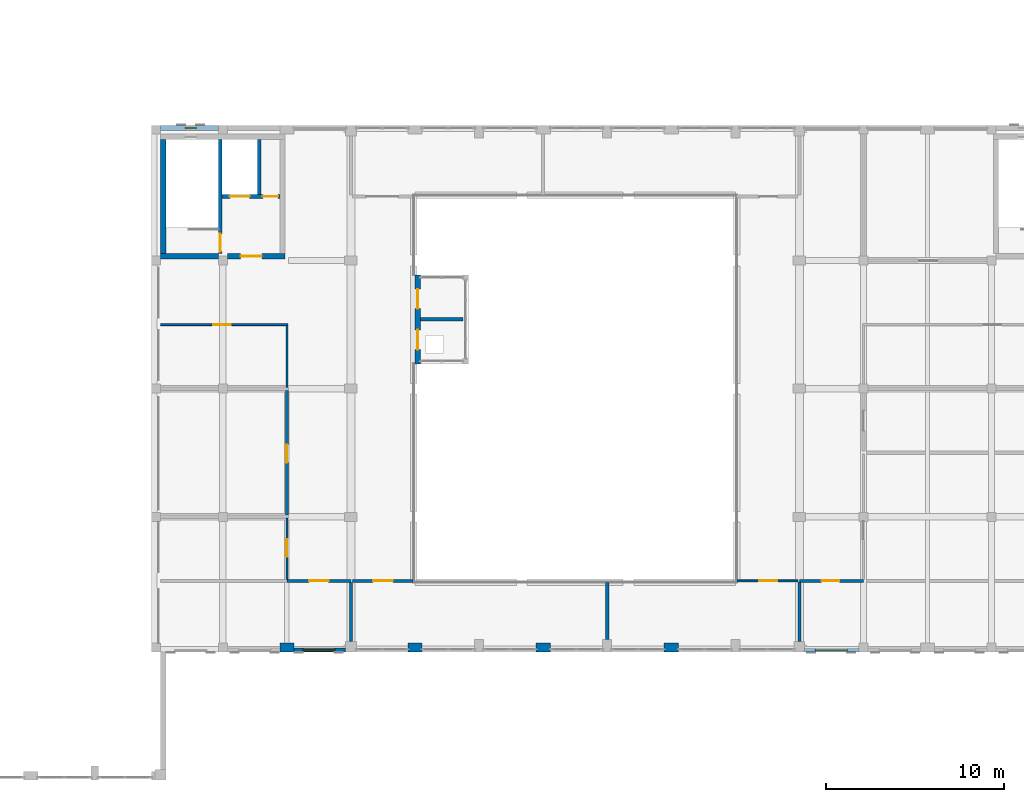
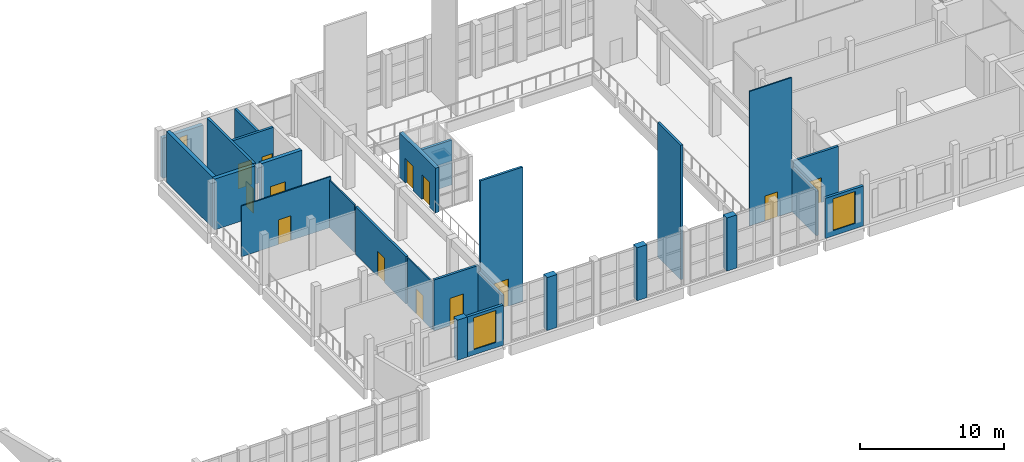
# One storey, part 18 of 54: 26 walls, 13 doors, 3 windows, 16 openings.
"""IFC4 building model written with IfcOpenShell, lengths in metres."""

from ifc_helpers import new_model, si_unit, direction, frame, frame_2d, origin, place, context, subcontext, project, spatial, rectangle, extrude, material, layer, layer_set, type_object, element, fill, save


model = new_model("IFC4")

# Units and contexts
model_context = context("Model", 3, precision=1e-05, world=origin(), true_north=direction((0.0, 1.0)))
body_context = subcontext(model_context, "Body", "Model", "MODEL_VIEW")
ifc_project = project(units=[si_unit("LENGTHUNIT", "METRE"), si_unit("AREAUNIT", "SQUARE_METRE"), si_unit("VOLUMEUNIT", "CUBIC_METRE"), si_unit("PLANEANGLEUNIT", "RADIAN"), si_unit("MASSUNIT", "GRAM", prefix="KILO")], contexts=[model_context])

# Site, building, storey
site_placement = place(None, origin())
site = spatial("IfcSite", under=ifc_project, at=site_placement, CompositionType="ELEMENT")
building_placement = place(site_placement, origin())
building = spatial("IfcBuilding", under=site, at=building_placement, Name="Ussher Court Research Institute", CompositionType="ELEMENT")
storey_placement = place(building_placement, frame((0.0, 0.0, 14.39990234375)))
storey = spatial("IfcBuildingStorey", under=building, at=storey_placement, Name="L03", CompositionType="ELEMENT", Elevation=14.39990234375)

# Wall, opening, door
ifc_material_1 = material(Name="Plasterboard on steel studs with mineral wool", Category="steel")
ifc_layer_1 = layer(ifc_material_1, 0.179931640625)
ifc_layer_set_1 = layer_set([ifc_layer_1], Name="Plasterboard on steel studs with mineral wool")
wall_type_1 = type_object("IfcWallType", Name="Acoustic twin-stud partition 180", PredefinedType="PARTITIONING", material=ifc_layer_set_1)
wall_1_placement = place(storey_placement, frame((39.0, 14.800048828125, 0.0), z_axis=(0.0, 0.0, 1.0), x_axis=(-1.0, 0.0, 0.0)))
wall_1 = element("IfcWall", 1, at=wall_1_placement, inside=storey, type_object=wall_type_1, Name="Partition", PredefinedType="PARTITIONING", context=body_context, shape_type="SweptSolid", body=[
    extrude(rectangle(XDim=3.60009765625, YDim=0.179931640625, at=frame_2d((1.800048828125, 0.0))), origin(), (0.0, 0.0, 1.0), 4.300048828125),
])
opening_1_placement = place(wall_1_placement, frame((1.25, 0.0, 0.0)))
opening_1 = element("IfcOpeningElement", 2, at=opening_1_placement, cuts=wall_1, Name="Opening D03014", PredefinedType="OPENING", context=body_context, shape_type="SweptSolid", body=[
    extrude(rectangle(XDim=1.10009765625, YDim=2.300048828125, at=frame_2d((0.550048828125, 1.14990234375))), frame((0.0, 0.10009765625, 0.0), z_axis=(0.0, -1.0, 0.0), x_axis=(1.0, 0.0, 0.0)), (0.0, 0.0, 1.0), 0.199951171875),
])
ifc_material_2 = material(Name="Veneered timber door", Category="wood")
door_type_1 = type_object("IfcDoorType", Name="Seminar room door 1100x2300", OperationType="NOTDEFINED", PredefinedType="DOOR", material=ifc_material_2)
door_1_placement = place(opening_1_placement, origin())
door_1 = element("IfcDoor", 3, at=door_1_placement, inside=storey, type_object=door_type_1, Name="Door D03014", OperationType="SINGLE_SWING_LEFT", OverallHeight=2.300048828125, OverallWidth=1.10009765625, PredefinedType="DOOR", context=body_context, shape_type="SweptSolid", body=[
    extrude(rectangle(XDim=1.10009765625, YDim=2.300048828125, at=frame_2d((0.550048828125, 1.14990234375))), frame((0.0, 0.02490234375, 0.0), z_axis=(0.0, -1.0, 0.0), x_axis=(1.0, 0.0, 0.0)), (0.0, 0.0, 1.0), 0.050048828125),
])
fill(opening_1, door_1)

wall_2_placement = place(storey_placement, frame((42.5, 14.800048828125, 0.0), z_axis=(0.0, 0.0, 1.0), x_axis=(-1.0, 0.0, 0.0)))
wall_2 = element("IfcWall", 4, at=wall_2_placement, inside=storey, type_object=wall_type_1, Name="Partition", PredefinedType="PARTITIONING", context=body_context, shape_type="SweptSolid", body=[
    extrude(rectangle(XDim=3.39990234375, YDim=0.179931640625, at=frame_2d((1.699951171875, 0.0))), origin(), (0.0, 0.0, 1.0), 11.400146484375),
])
opening_2_placement = place(wall_2_placement, frame((1.14990234375, 0.0, 0.0)))
opening_2 = element("IfcOpeningElement", 5, at=opening_2_placement, cuts=wall_2, Name="Opening D03018", PredefinedType="OPENING", context=body_context, shape_type="SweptSolid", body=[
    extrude(rectangle(XDim=1.10009765625, YDim=2.300048828125, at=frame_2d((0.550048828125, 1.14990234375))), frame((0.0, 0.10009765625, 0.0), z_axis=(0.0, -1.0, 0.0), x_axis=(1.0, 0.0, 0.0)), (0.0, 0.0, 1.0), 0.199951171875),
])
door_2_placement = place(opening_2_placement, origin())
door_2 = element("IfcDoor", 6, at=door_2_placement, inside=storey, type_object=door_type_1, Name="Door D03018", OperationType="SINGLE_SWING_RIGHT", OverallHeight=2.300048828125, OverallWidth=1.10009765625, PredefinedType="DOOR", context=body_context, shape_type="SweptSolid", body=[
    extrude(rectangle(XDim=1.10009765625, YDim=2.300048828125, at=frame_2d((0.550048828125, 1.14990234375))), frame((0.0, 0.02490234375, 0.0), z_axis=(0.0, -1.0, 0.0), x_axis=(1.0, 0.0, 0.0)), (0.0, 0.0, 1.0), 0.050048828125),
])
fill(opening_2, door_2)

wall_3_placement = place(storey_placement, frame((67.800048828125, 14.800048828125, 0.0), z_axis=(0.0, 0.0, 1.0), x_axis=(-1.0, 0.0, 0.0)))
wall_3 = element("IfcWall", 7, at=wall_3_placement, inside=storey, type_object=wall_type_1, Name="Partition", PredefinedType="PARTITIONING", context=body_context, shape_type="SweptSolid", body=[
    extrude(rectangle(XDim=3.60009765625, YDim=0.179931640625, at=frame_2d((1.800048828125, 0.0))), origin(), (0.0, 0.0, 1.0), 4.300048828125),
])
opening_3_placement = place(wall_3_placement, frame((1.35009765625, 0.0, 0.0)))
opening_3 = element("IfcOpeningElement", 8, at=opening_3_placement, cuts=wall_3, Name="Opening D03029", PredefinedType="OPENING", context=body_context, shape_type="SweptSolid", body=[
    extrude(rectangle(XDim=1.0, YDim=2.10009765625, at=frame_2d((0.5, 1.050048828125))), frame((0.0, 0.10009765625, 0.0), z_axis=(0.0, -1.0, 0.0), x_axis=(1.0, 0.0, 0.0)), (0.0, 0.0, 1.0), 0.199951171875),
])
ifc_material_3 = material(Name="Veneered timber door", Category="wood")
door_type_2 = type_object("IfcDoorType", Name="Meeting room door 1000x2100", OperationType="NOTDEFINED", PredefinedType="DOOR", material=ifc_material_3)
door_3_placement = place(opening_3_placement, origin())
door_3 = element("IfcDoor", 9, at=door_3_placement, inside=storey, type_object=door_type_2, Name="Door D03029", OperationType="SINGLE_SWING_RIGHT", OverallHeight=2.10009765625, OverallWidth=1.0, PredefinedType="DOOR", context=body_context, shape_type="SweptSolid", body=[
    extrude(rectangle(XDim=1.0, YDim=2.10009765625, at=frame_2d((0.5, 1.050048828125))), frame((0.0, 0.02490234375, 0.0), z_axis=(0.0, -1.0, 0.0), x_axis=(1.0, 0.0, 0.0)), (0.0, 0.0, 1.0), 0.050048828125),
])
fill(opening_3, door_3)

wall_4_placement = place(storey_placement, frame((35.39990234375, 18.489990234375, 0.0), z_axis=(0.0, 0.0, 1.0), x_axis=(0.0, 1.0, 0.0)))
wall_4 = element("IfcWall", 10, at=wall_4_placement, inside=storey, type_object=wall_type_1, Name="Partition", PredefinedType="PARTITIONING", context=body_context, shape_type="SweptSolid", body=[
    extrude(rectangle(XDim=7.02001953125, YDim=0.179931640625, at=frame_2d((3.510009765625, 0.0))), origin(), (0.0, 0.0, 1.0), 4.02001953125),
])
opening_4_placement = place(wall_4_placement, frame((2.9599609375, 0.0, 0.0)))
opening_4 = element("IfcOpeningElement", 11, at=opening_4_placement, cuts=wall_4, Name="Opening D03013", PredefinedType="OPENING", context=body_context, shape_type="SweptSolid", body=[
    extrude(rectangle(XDim=1.0, YDim=2.10009765625, at=frame_2d((0.5, 1.050048828125))), frame((0.0, 0.10009765625, 0.0), z_axis=(0.0, -1.0, 0.0), x_axis=(1.0, 0.0, 0.0)), (0.0, 0.0, 1.0), 0.199951171875),
])
door_4_placement = place(opening_4_placement, origin())
door_4 = element("IfcDoor", 12, at=door_4_placement, inside=storey, type_object=door_type_2, Name="Door D03013", OperationType="SINGLE_SWING_LEFT", OverallHeight=2.10009765625, OverallWidth=1.0, PredefinedType="DOOR", context=body_context, shape_type="SweptSolid", body=[
    extrude(rectangle(XDim=1.0, YDim=2.10009765625, at=frame_2d((0.5, 1.050048828125))), frame((0.0, 0.02490234375, 0.0), z_axis=(0.0, -1.0, 0.0), x_axis=(1.0, 0.0, 0.0)), (0.0, 0.0, 1.0), 0.050048828125),
])
fill(opening_4, door_4)

# Walls
wall_5_placement = place(storey_placement, frame((39.0, 11.39990234375, 0.0), z_axis=(0.0, 0.0, 1.0), x_axis=(0.0, 1.0, 0.0)))
element("IfcWall", 13, at=wall_5_placement, inside=storey, type_object=wall_type_1, Name="Partition", PredefinedType="PARTITIONING", context=body_context, shape_type="SweptSolid", body=[
    extrude(rectangle(XDim=3.31005859375, YDim=0.179931640625, at=frame_2d((1.655029296875, 0.0))), origin(), (0.0, 0.0, 1.0), 3.77001953125),
])
wall_6_placement = place(storey_placement, frame((53.39990234375, 11.5, 0.0), z_axis=(0.0, 0.0, 1.0), x_axis=(0.0, 1.0, 0.0)))
element("IfcWall", 14, at=wall_6_placement, inside=storey, type_object=wall_type_1, Name="Partition", PredefinedType="PARTITIONING", context=body_context, shape_type="SweptSolid", body=[
    extrude(rectangle(XDim=3.199951171875, YDim=0.179931640625, at=frame_2d((1.60009765625, 0.0))), origin(), (0.0, 0.0, 1.0), 11.400146484375),
])
wall_7_placement = place(storey_placement, frame((64.199951171875, 11.39990234375, 0.0), z_axis=(0.0, 0.0, 1.0), x_axis=(0.0, 1.0, 0.0)))
element("IfcWall", 15, at=wall_7_placement, inside=storey, type_object=wall_type_1, Name="Partition", PredefinedType="PARTITIONING", context=body_context, shape_type="SweptSolid", body=[
    extrude(rectangle(XDim=3.35009765625, YDim=0.179931640625, at=frame_2d((1.675048828125, 0.0))), origin(), (0.0, 0.0, 1.0), 3.77001953125),
])

# Wall, opening, window
ifc_material_4 = material(Name="Limestone facing on blockwork", Category="masonry")
ifc_layer_2 = layer(ifc_material_4, 0.300048828125)
ifc_layer_set_2 = layer_set([ifc_layer_2], Name="Limestone facing on blockwork")
wall_type_2 = type_object("IfcWallType", Name="External wall 300 stair enclosure", PredefinedType="SOLIDWALL", material=ifc_layer_set_2)
wall_8_placement = place(storey_placement, frame((28.300048828125, 40.25, 0.0), z_axis=(0.0, 0.0, 1.0), x_axis=(1.0, 0.0, 0.0)))
wall_8 = element("IfcWall", 16, at=wall_8_placement, inside=storey, type_object=wall_type_2, Name="External wall EW5 L03", PredefinedType="SOLIDWALL", context=body_context, shape_type="SweptSolid", body=[
    extrude(rectangle(XDim=3.25, YDim=0.300048828125, at=frame_2d((1.625, 0.0))), origin(), (0.0, 0.0, 1.0), 3.400146484375),
])
opening_5_placement = place(wall_8_placement, frame((1.39990234375, 0.0, 1.199951171875)))
opening_5 = element("IfcOpeningElement", 17, at=opening_5_placement, cuts=wall_8, Name="Opening W25", PredefinedType="OPENING", context=body_context, shape_type="SweptSolid", body=[
    extrude(rectangle(XDim=0.60009765625, YDim=1.800048828125, at=frame_2d((0.300048828125, 0.89990234375))), frame((0.0, 0.16015625, 0.0), z_axis=(0.0, -1.0, 0.0), x_axis=(1.0, 0.0, 0.0)), (0.0, 0.0, 1.0), 0.320068359375),
])
ifc_material_5 = material(Name="Bronze anodised aluminium with double glazing", Category="aluminium")
window_type_1 = type_object("IfcWindowType", Name="Stair light slot window 600x1800 fire-resisting glazing", PartitioningType="SINGLE_PANEL", PredefinedType="WINDOW", material=ifc_material_5)
window_1_placement = place(opening_5_placement, origin())
window_1 = element("IfcWindow", 18, at=window_1_placement, inside=storey, type_object=window_type_1, Name="Window W25 L03", OverallHeight=1.800048828125, OverallWidth=0.60009765625, PartitioningType="SINGLE_PANEL", PredefinedType="WINDOW", context=body_context, shape_type="SweptSolid", body=[
    extrude(rectangle(XDim=0.60009765625, YDim=1.800048828125, at=frame_2d((0.300048828125, 0.89990234375))), frame((0.0, 0.030029296875, 0.0), z_axis=(0.0, -1.0, 0.0), x_axis=(1.0, 0.0, 0.0)), (0.0, 0.0, 1.0), 0.06005859375),
])
fill(opening_5, window_1)

ifc_material_6 = material(Name="Limestone facing on insulated blockwork", Category="masonry")
ifc_layer_3 = layer(ifc_material_6, 0.219970703125)
ifc_layer_set_3 = layer_set([ifc_layer_3], Name="Limestone facing on insulated blockwork")
wall_type_3 = type_object("IfcWallType", Name="Link wall 220 limestone faced insulated block", PredefinedType="SOLIDWALL", material=ifc_layer_set_3)
wall_9_placement = place(storey_placement, frame((67.550048828125, 10.909912109375, 0.0), z_axis=(0.0, 0.0, 1.0), x_axis=(-1.0, 0.0, 0.0)))
wall_9 = element("IfcWall", 19, at=wall_9_placement, inside=storey, type_object=wall_type_3, Name="External wall EW6 L03", PredefinedType="SOLIDWALL", context=body_context, shape_type="SweptSolid", body=[
    extrude(rectangle(XDim=3.050048828125, YDim=0.219970703125, at=frame_2d((1.52490234375, 0.0))), origin(), (0.0, 0.0, 1.0), 3.400146484375),
])
opening_6_placement = place(wall_9_placement, frame((0.64990234375, 0.0, 0.449951171875)))
opening_6 = element("IfcOpeningElement", 20, at=opening_6_placement, cuts=wall_9, Name="Opening W20", PredefinedType="OPENING", context=body_context, shape_type="SweptSolid", body=[
    extrude(rectangle(XDim=1.800048828125, YDim=2.699951171875, at=frame_2d((0.89990234375, 1.35009765625))), frame((0.0, 0.1201171875, 0.0), z_axis=(0.0, -1.0, 0.0), x_axis=(1.0, 0.0, 0.0)), (0.0, 0.0, 1.0), 0.239990234375),
])
ifc_material_7 = material(Name="Bronze anodised aluminium with double glazing", Category="aluminium")
window_type_2 = type_object("IfcWindowType", Name="Reading gallery window 1800x2700", PartitioningType="DOUBLE_PANEL_VERTICAL", PredefinedType="WINDOW", material=ifc_material_7)
window_2_placement = place(opening_6_placement, origin())
window_2 = element("IfcWindow", 21, at=window_2_placement, inside=storey, type_object=window_type_2, Name="Window W20 L03", OverallHeight=2.699951171875, OverallWidth=1.800048828125, PartitioningType="SINGLE_PANEL", PredefinedType="WINDOW", context=body_context, shape_type="SweptSolid", body=[
    extrude(rectangle(XDim=1.800048828125, YDim=2.699951171875, at=frame_2d((0.89990234375, 1.35009765625))), frame((0.0, 0.030029296875, 0.0), z_axis=(0.0, -1.0, 0.0), x_axis=(1.0, 0.0, 0.0)), (0.0, 0.0, 1.0), 0.06005859375),
])
fill(opening_6, window_2)

wall_10_placement = place(storey_placement, frame((38.699951171875, 10.909912109375, 0.0), z_axis=(0.0, 0.0, 1.0), x_axis=(-1.0, 0.0, 0.0)))
wall_10 = element("IfcWall", 22, at=wall_10_placement, inside=storey, type_object=wall_type_3, Name="External wall EW6 L03", PredefinedType="SOLIDWALL", context=body_context, shape_type="SweptSolid", body=[
    extrude(rectangle(XDim=2.89990234375, YDim=0.219970703125, at=frame_2d((1.449951171875, 0.0))), origin(), (0.0, 0.0, 1.0), 3.400146484375),
])
opening_7_placement = place(wall_10_placement, frame((0.60009765625, 0.0, 0.449951171875)))
opening_7 = element("IfcOpeningElement", 23, at=opening_7_placement, cuts=wall_10, Name="Opening W20", PredefinedType="OPENING", context=body_context, shape_type="SweptSolid", body=[
    extrude(rectangle(XDim=1.800048828125, YDim=2.699951171875, at=frame_2d((0.89990234375, 1.35009765625))), frame((0.0, 0.1201171875, 0.0), z_axis=(0.0, -1.0, 0.0), x_axis=(1.0, 0.0, 0.0)), (0.0, 0.0, 1.0), 0.239990234375),
])
window_3_placement = place(opening_7_placement, origin())
window_3 = element("IfcWindow", 24, at=window_3_placement, inside=storey, type_object=window_type_2, Name="Window W20 L03", OverallHeight=2.699951171875, OverallWidth=1.800048828125, PartitioningType="SINGLE_PANEL", PredefinedType="WINDOW", context=body_context, shape_type="SweptSolid", body=[
    extrude(rectangle(XDim=1.800048828125, YDim=2.699951171875, at=frame_2d((0.89990234375, 1.35009765625))), frame((0.0, 0.030029296875, 0.0), z_axis=(0.0, -1.0, 0.0), x_axis=(1.0, 0.0, 0.0)), (0.0, 0.0, 1.0), 0.06005859375),
])
fill(opening_7, window_3)

# Wall, opening, door
ifc_material_8 = material(Name="Plastered blockwork", Category="masonry")
ifc_layer_4 = layer(ifc_material_8, 0.10009765625)
ifc_layer_set_4 = layer_set([ifc_layer_4], Name="Plastered blockwork")
wall_type_4 = type_object("IfcWallType", Name="Partition plastered blockwork 100", PredefinedType="PARTITIONING", material=ifc_layer_set_4)
wall_11_placement = place(storey_placement, frame((64.10009765625, 14.800048828125, 0.0), z_axis=(0.0, 0.0, 1.0), x_axis=(-1.0, 0.0, 0.0)))
wall_11 = element("IfcWall", 25, at=wall_11_placement, inside=storey, type_object=wall_type_4, Name="Partition", PredefinedType="PARTITIONING", context=body_context, shape_type="SweptSolid", body=[
    extrude(rectangle(XDim=3.400146484375, YDim=0.10009765625, at=frame_2d((1.7001953125, 0.0))), origin(), (0.0, 0.0, 1.0), 11.400146484375),
])
opening_8_placement = place(wall_11_placement, frame((1.14990234375, 0.0, 0.0)))
opening_8 = element("IfcOpeningElement", 26, at=opening_8_placement, cuts=wall_11, Name="Opening D03027", PredefinedType="OPENING", context=body_context, shape_type="SweptSolid", body=[
    extrude(rectangle(XDim=1.0, YDim=2.10009765625, at=frame_2d((0.5, 1.050048828125))), frame((0.0, 0.06005859375, 0.0), z_axis=(0.0, -1.0, 0.0), x_axis=(1.0, 0.0, 0.0)), (0.0, 0.0, 1.0), 0.1201171875),
])
ifc_material_9 = material(Name="Veneered timber door", Category="wood")
door_type_3 = type_object("IfcDoorType", Name="Lounge door 1000x2100", OperationType="NOTDEFINED", PredefinedType="DOOR", material=ifc_material_9)
door_5_placement = place(opening_8_placement, origin())
door_5 = element("IfcDoor", 27, at=door_5_placement, inside=storey, type_object=door_type_3, Name="Door D03027", OperationType="SINGLE_SWING_LEFT", OverallHeight=2.10009765625, OverallWidth=1.0, PredefinedType="DOOR", context=body_context, shape_type="SweptSolid", body=[
    extrude(rectangle(XDim=1.0, YDim=2.10009765625, at=frame_2d((0.5, 1.050048828125))), frame((0.0, 0.02490234375, 0.0), z_axis=(0.0, -1.0, 0.0), x_axis=(1.0, 0.0, 0.0)), (0.0, 0.0, 1.0), 0.050048828125),
])
fill(opening_8, door_5)

wall_12_placement = place(storey_placement, frame((35.449951171875, 29.199951171875, 0.0), z_axis=(0.0, 0.0, 1.0), x_axis=(-1.0, 0.0, 0.0)))
wall_12 = element("IfcWall", 28, at=wall_12_placement, inside=storey, type_object=wall_type_4, Name="Partition", PredefinedType="PARTITIONING", context=body_context, shape_type="SweptSolid", body=[
    extrude(rectangle(XDim=7.14990234375, YDim=0.10009765625, at=frame_2d((3.574951171875, 0.0))), origin(), (0.0, 0.0, 1.0), 4.300048828125),
])
opening_9_placement = place(wall_12_placement, frame((3.199951171875, 0.0, 0.0)))
opening_9 = element("IfcOpeningElement", 29, at=opening_9_placement, cuts=wall_12, Name="Opening D03009", PredefinedType="OPENING", context=body_context, shape_type="SweptSolid", body=[
    extrude(rectangle(XDim=1.0, YDim=2.10009765625, at=frame_2d((0.5, 1.050048828125))), frame((0.0, 0.06005859375, 0.0), z_axis=(0.0, -1.0, 0.0), x_axis=(1.0, 0.0, 0.0)), (0.0, 0.0, 1.0), 0.1201171875),
])
ifc_material_10 = material(Name="Veneered timber door", Category="wood")
door_type_4 = type_object("IfcDoorType", Name="Office door 1000x2100", OperationType="NOTDEFINED", PredefinedType="DOOR", material=ifc_material_10)
door_6_placement = place(opening_9_placement, origin())
door_6 = element("IfcDoor", 30, at=door_6_placement, inside=storey, type_object=door_type_4, Name="Door D03009", OperationType="SINGLE_SWING_RIGHT", OverallHeight=2.10009765625, OverallWidth=1.0, PredefinedType="DOOR", context=body_context, shape_type="SweptSolid", body=[
    extrude(rectangle(XDim=1.0, YDim=2.10009765625, at=frame_2d((0.5, 1.050048828125))), frame((0.0, 0.02490234375, 0.0), z_axis=(0.0, -1.0, 0.0), x_axis=(1.0, 0.0, 0.0)), (0.0, 0.0, 1.0), 0.050048828125),
])
fill(opening_9, door_6)

wall_13_placement = place(storey_placement, frame((35.39990234375, 14.889892578125, 0.0), z_axis=(0.0, 0.0, 1.0), x_axis=(0.0, 1.0, 0.0)))
wall_13 = element("IfcWall", 31, at=wall_13_placement, inside=storey, type_object=wall_type_4, Name="Partition", PredefinedType="PARTITIONING", context=body_context, shape_type="SweptSolid", body=[
    extrude(rectangle(XDim=3.420166015625, YDim=0.10009765625, at=frame_2d((1.7099609375, 0.0))), origin(), (0.0, 0.0, 1.0), 4.02001953125),
])
opening_10_placement = place(wall_13_placement, frame((1.260009765625, 0.0, 0.0)))
opening_10 = element("IfcOpeningElement", 32, at=opening_10_placement, cuts=wall_13, Name="Opening D03012", PredefinedType="OPENING", context=body_context, shape_type="SweptSolid", body=[
    extrude(rectangle(XDim=1.0, YDim=2.10009765625, at=frame_2d((0.5, 1.050048828125))), frame((0.0, 0.06005859375, 0.0), z_axis=(0.0, -1.0, 0.0), x_axis=(1.0, 0.0, 0.0)), (0.0, 0.0, 1.0), 0.1201171875),
])
door_7_placement = place(opening_10_placement, origin())
door_7 = element("IfcDoor", 33, at=door_7_placement, inside=storey, type_object=door_type_4, Name="Door D03012", OperationType="SINGLE_SWING_RIGHT", OverallHeight=2.10009765625, OverallWidth=1.0, PredefinedType="DOOR", context=body_context, shape_type="SweptSolid", body=[
    extrude(rectangle(XDim=1.0, YDim=2.10009765625, at=frame_2d((0.5, 1.050048828125))), frame((0.0, 0.02490234375, 0.0), z_axis=(0.0, -1.0, 0.0), x_axis=(1.0, 0.0, 0.0)), (0.0, 0.0, 1.0), 0.050048828125),
])
fill(opening_10, door_7)

# Walls
wall_14_placement = place(storey_placement, frame((35.39990234375, 25.68994140625, 0.0), z_axis=(0.0, 0.0, 1.0), x_axis=(0.0, 1.0, 0.0)))
element("IfcWall", 34, at=wall_14_placement, inside=storey, type_object=wall_type_4, Name="Partition", PredefinedType="PARTITIONING", context=body_context, shape_type="SweptSolid", body=[
    extrude(rectangle(XDim=3.4599609375, YDim=0.10009765625, at=frame_2d((1.72998046875, 0.0))), origin(), (0.0, 0.0, 1.0), 4.02001953125),
])
ifc_material_11 = material(Name="Rusticated limestone facing on blockwork", Category="masonry")
ifc_layer_5 = layer(ifc_material_11, 0.5)
ifc_layer_set_5 = layer_set([ifc_layer_5], Name="Rusticated limestone facing on blockwork")
wall_type_5 = type_object("IfcWallType", Name="Pier 800x500 rusticated limestone", PredefinedType="SOLIDWALL", material=ifc_layer_set_5)
wall_15_placement = place(storey_placement, frame((57.39990234375, 11.050048828125, 0.0), z_axis=(0.0, 0.0, 1.0), x_axis=(-1.0, 0.0, 0.0)))
element("IfcWall", 35, at=wall_15_placement, inside=storey, type_object=wall_type_5, Name="Pier PR2 L03", PredefinedType="SOLIDWALL", context=body_context, shape_type="SweptSolid", body=[
    extrude(rectangle(XDim=0.7998046875, YDim=0.5, at=frame_2d((0.39990234375, 0.0))), origin(), (0.0, 0.0, 1.0), 4.5),
])
for number, where, z_axis, x_axis, name in (
    (36, (50.199951171875, 11.050048828125, 0.0), (0.0, 0.0, 1.0), (-1.0, 0.0, 0.0), "Pier PR2 L03"),
    (37, (43.0, 11.050048828125, 0.0), (0.0, 0.0, 1.0), (-1.0, 0.0, 0.0), "Pier PR2 L03"),
):
    element("IfcWall", number, at=place(storey_placement, frame(where, z_axis=z_axis, x_axis=x_axis)), inside=storey, type_object=wall_type_5, Name=name, PredefinedType="SOLIDWALL", context=body_context, shape_type="SweptSolid", body=[
        extrude(rectangle(XDim=0.800048828125, YDim=0.5, at=frame_2d((0.39990234375, 0.0))), origin(), (0.0, 0.0, 1.0), 4.5),
    ])
wall_16_placement = place(storey_placement, frame((35.800048828125, 11.050048828125, 0.0), z_axis=(0.0, 0.0, 1.0), x_axis=(-1.0, 0.0, 0.0)))
element("IfcWall", 38, at=wall_16_placement, inside=storey, type_object=wall_type_5, Name="Pier PR2 L03", PredefinedType="SOLIDWALL", context=body_context, shape_type="SweptSolid", body=[
    extrude(rectangle(XDim=0.800048828125, YDim=0.5, at=frame_2d((0.39990234375, 0.0))), origin(), (0.0, 0.0, 1.0), 3.400146484375),
])

# Wall, opening, door
ifc_material_12 = material(Name="Concrete C35/45", Category="concrete")
ifc_layer_6 = layer(ifc_material_12, 0.199951171875)
ifc_layer_set_6 = layer_set([ifc_layer_6], Name="Concrete C35/45")
wall_type_6 = type_object("IfcWallType", Name="RC core wall 200", PredefinedType="SHEAR", material=ifc_layer_set_6)
wall_17_placement = place(storey_placement, frame((31.64990234375, 33.199951171875, 0.0), z_axis=(0.0, 0.0, 1.0), x_axis=(0.0, 1.0, 0.0)))
wall_17 = element("IfcWall", 39, at=wall_17_placement, inside=storey, type_object=wall_type_6, Name="Core wall W1", PredefinedType="SHEAR", context=body_context, shape_type="SweptSolid", body=[
    extrude(rectangle(XDim=6.400146484375, YDim=0.199951171875, at=frame_2d((3.2001953125, 0.0))), origin(), (0.0, 0.0, 1.0), 4.300048828125),
])
opening_11_placement = place(wall_17_placement, frame((0.10009765625, 0.0, 0.0)))
opening_11 = element("IfcOpeningElement", 40, at=opening_11_placement, cuts=wall_17, Name="Opening D03008", PredefinedType="OPENING", context=body_context, shape_type="SweptSolid", body=[
    extrude(rectangle(XDim=1.0, YDim=2.10009765625, at=frame_2d((0.5, 1.050048828125))), frame((0.0, 0.10986328125, 0.0), z_axis=(0.0, -1.0, 0.0), x_axis=(1.0, 0.0, 0.0)), (0.0, 0.0, 1.0), 0.219970703125),
])
ifc_material_13 = material(Name="Painted steel faced fire door", Category="steel")
door_type_5 = type_object("IfcDoorType", Name="Fire door 1000x2100 FD60", OperationType="NOTDEFINED", PredefinedType="DOOR", material=ifc_material_13)
door_8_placement = place(opening_11_placement, origin())
door_8 = element("IfcDoor", 41, at=door_8_placement, inside=storey, type_object=door_type_5, Name="Door D03008", OperationType="SINGLE_SWING_LEFT", OverallHeight=2.10009765625, OverallWidth=1.0, PredefinedType="DOOR", context=body_context, shape_type="SweptSolid", body=[
    extrude(rectangle(XDim=1.0, YDim=2.10009765625, at=frame_2d((0.5, 1.050048828125))), frame((0.0, 0.02490234375, 0.0), z_axis=(0.0, -1.0, 0.0), x_axis=(1.0, 0.0, 0.0)), (0.0, 0.0, 1.0), 0.050048828125),
])
fill(opening_11, door_8)

# Wall, openings, doors
wall_18_placement = place(storey_placement, frame((35.0, 36.39990234375, 0.0), z_axis=(0.0, 0.0, 1.0), x_axis=(-1.0, 0.0, 0.0)))
wall_18 = element("IfcWall", 42, at=wall_18_placement, inside=storey, type_object=wall_type_6, Name="Core wall W1", PredefinedType="SHEAR", context=body_context, shape_type="SweptSolid", body=[
    extrude(rectangle(XDim=3.25, YDim=0.199951171875, at=frame_2d((1.625, 0.0))), origin(), (0.0, 0.0, 1.0), 4.300048828125),
])
opening_12_placement = place(wall_18_placement, frame((1.699951171875, 0.0, 0.0)))
opening_12 = element("IfcOpeningElement", 43, at=opening_12_placement, cuts=wall_18, Name="Opening LD40", PredefinedType="OPENING", context=body_context, shape_type="SweptSolid", body=[
    extrude(rectangle(XDim=1.10009765625, YDim=2.10009765625, at=frame_2d((0.550048828125, 1.050048828125))), frame((0.0, 0.10986328125, 0.0), z_axis=(0.0, -1.0, 0.0), x_axis=(1.0, 0.0, 0.0)), (0.0, 0.0, 1.0), 0.219970703125),
])
opening_13_placement = place(wall_18_placement, frame((0.10009765625, 0.0, 0.0)))
opening_13 = element("IfcOpeningElement", 44, at=opening_13_placement, cuts=wall_18, Name="Opening D03011", PredefinedType="OPENING", context=body_context, shape_type="SweptSolid", body=[
    extrude(rectangle(XDim=0.85009765625, YDim=2.10009765625, at=frame_2d((0.425048828125, 1.050048828125))), frame((0.0, 0.10986328125, 0.0), z_axis=(0.0, -1.0, 0.0), x_axis=(1.0, 0.0, 0.0)), (0.0, 0.0, 1.0), 0.219970703125),
])
ifc_material_14 = material(Name="Painted steel faced fire door", Category="steel")
door_type_6 = type_object("IfcDoorType", Name="Fire door 850x2100 FD60", OperationType="NOTDEFINED", PredefinedType="DOOR", material=ifc_material_14)
door_9_placement = place(opening_13_placement, origin())
door_9 = element("IfcDoor", 45, at=door_9_placement, inside=storey, type_object=door_type_6, Name="Door D03011", OperationType="SINGLE_SWING_LEFT", OverallHeight=2.10009765625, OverallWidth=0.85009765625, PredefinedType="DOOR", context=body_context, shape_type="SweptSolid", body=[
    extrude(rectangle(XDim=0.85009765625, YDim=2.10009765625, at=frame_2d((0.425048828125, 1.050048828125))), frame((0.0, 0.02490234375, 0.0), z_axis=(0.0, -1.0, 0.0), x_axis=(1.0, 0.0, 0.0)), (0.0, 0.0, 1.0), 0.050048828125),
])
fill(opening_13, door_9)
ifc_material_15 = material(Name="Stainless steel lift door", Category="steel")
door_type_7 = type_object("IfcDoorType", Name="Lift landing door 1100x2100 sliding", OperationType="DOUBLE_DOOR_SLIDING", PredefinedType="DOOR", material=ifc_material_15)
door_10_placement = place(opening_12_placement, origin())
door_10 = element("IfcDoor", 46, at=door_10_placement, inside=storey, type_object=door_type_7, Name="Landing door W1-1 L03", OperationType="DOUBLE_DOOR_SLIDING", OverallHeight=2.10009765625, OverallWidth=1.10009765625, PredefinedType="DOOR", context=body_context, shape_type="SweptSolid", body=[
    extrude(rectangle(XDim=1.10009765625, YDim=2.10009765625, at=frame_2d((0.550048828125, 1.050048828125))), frame((0.0, 0.02490234375, 0.0), z_axis=(0.0, -1.0, 0.0), x_axis=(1.0, 0.0, 0.0)), (0.0, 0.0, 1.0), 0.050048828125),
])
fill(opening_12, door_10)

# Walls
wall_19_placement = place(storey_placement, frame((33.85009765625, 36.5, 0.0), z_axis=(0.0, 0.0, 1.0), x_axis=(0.0, 1.0, 0.0)))
element("IfcWall", 47, at=wall_19_placement, inside=storey, type_object=wall_type_6, Name="Core wall W1", PredefinedType="SHEAR", context=body_context, shape_type="SweptSolid", body=[
    extrude(rectangle(XDim=3.10009765625, YDim=0.199951171875, at=frame_2d((1.550048828125, 0.0))), origin(), (0.0, 0.0, 1.0), 4.300048828125),
])
wall_20_placement = place(storey_placement, frame((42.89990234375, 29.5, 0.0), z_axis=(0.0, 0.0, 1.0), x_axis=(1.0, 0.0, 0.0)))
element("IfcWall", 48, at=wall_20_placement, inside=storey, type_object=wall_type_6, Name="Lift shaft divider atrium", PredefinedType="SHEAR", context=body_context, shape_type="SweptSolid", body=[
    extrude(rectangle(XDim=2.400146484375, YDim=0.199951171875, at=frame_2d((1.2001953125, 0.0))), origin(), (0.0, 0.0, 1.0), 3.800048828125),
])
ifc_material_16 = material(Name="Concrete C35/45", Category="concrete")
ifc_layer_7 = layer(ifc_material_16, 0.300048828125)
ifc_layer_set_7 = layer_set([ifc_layer_7], Name="Concrete C35/45")
wall_type_7 = type_object("IfcWallType", Name="RC core wall 300", PredefinedType="SHEAR", material=ifc_layer_set_7)
wall_21_placement = place(storey_placement, frame((28.300048828125, 33.050048828125, 0.0), z_axis=(0.0, 0.0, 1.0), x_axis=(1.0, 0.0, 0.0)))
element("IfcWall", 49, at=wall_21_placement, inside=storey, type_object=wall_type_7, Name="Core wall W1", PredefinedType="SHEAR", context=body_context, shape_type="SweptSolid", body=[
    extrude(rectangle(XDim=3.25, YDim=0.300048828125, at=frame_2d((1.625, 0.0))), origin(), (0.0, 0.0, 1.0), 4.300048828125),
])

# Wall, opening, door
wall_22_placement = place(storey_placement, frame((32.050048828125, 33.050048828125, 0.0), z_axis=(0.0, 0.0, 1.0), x_axis=(1.0, 0.0, 0.0)))
wall_22 = element("IfcWall", 50, at=wall_22_placement, inside=storey, type_object=wall_type_7, Name="Core wall W1", PredefinedType="SHEAR", context=body_context, shape_type="SweptSolid", body=[
    extrude(rectangle(XDim=3.25, YDim=0.300048828125, at=frame_2d((1.625, 0.0))), origin(), (0.0, 0.0, 1.0), 4.300048828125),
])
opening_14_placement = place(wall_22_placement, frame((0.75, 0.0, 0.0)))
opening_14 = element("IfcOpeningElement", 51, at=opening_14_placement, cuts=wall_22, Name="Opening D03010", PredefinedType="OPENING", context=body_context, shape_type="SweptSolid", body=[
    extrude(rectangle(XDim=1.199951171875, YDim=2.10009765625, at=frame_2d((0.60009765625, 1.050048828125))), frame((0.0, 0.16015625, 0.0), z_axis=(0.0, -1.0, 0.0), x_axis=(1.0, 0.0, 0.0)), (0.0, 0.0, 1.0), 0.320068359375),
])
ifc_material_17 = material(Name="Painted steel faced fire door", Category="steel")
door_type_8 = type_object("IfcDoorType", Name="Fire door 1200x2100 FD60", OperationType="NOTDEFINED", PredefinedType="DOOR", material=ifc_material_17)
door_11_placement = place(opening_14_placement, origin())
door_11 = element("IfcDoor", 52, at=door_11_placement, inside=storey, type_object=door_type_8, Name="Door D03010", OperationType="SINGLE_SWING_LEFT", OverallHeight=2.10009765625, OverallWidth=1.199951171875, PredefinedType="DOOR", context=body_context, shape_type="SweptSolid", body=[
    extrude(rectangle(XDim=1.199951171875, YDim=2.10009765625, at=frame_2d((0.60009765625, 1.050048828125))), frame((0.0, 0.02490234375, 0.0), z_axis=(0.0, -1.0, 0.0), x_axis=(1.0, 0.0, 0.0)), (0.0, 0.0, 1.0), 0.050048828125),
])
fill(opening_14, door_11)

# Wall
wall_23_placement = place(storey_placement, frame((28.449951171875, 33.199951171875, 0.0), z_axis=(0.0, 0.0, 1.0), x_axis=(0.0, 1.0, 0.0)))
element("IfcWall", 53, at=wall_23_placement, inside=storey, type_object=wall_type_7, Name="Core wall W1", PredefinedType="SHEAR", context=body_context, shape_type="SweptSolid", body=[
    extrude(rectangle(XDim=6.400146484375, YDim=0.300048828125, at=frame_2d((3.2001953125, 0.0))), origin(), (0.0, 0.0, 1.0), 4.300048828125),
])

# Wall, openings, doors
wall_24_placement = place(storey_placement, frame((42.75, 27.0, 0.0), z_axis=(0.0, 0.0, 1.0), x_axis=(0.0, 1.0, 0.0)))
wall_24 = element("IfcWall", 54, at=wall_24_placement, inside=storey, type_object=wall_type_7, Name="Lift shaft wall atrium", PredefinedType="SHEAR", context=body_context, shape_type="SweptSolid", body=[
    extrude(rectangle(XDim=5.0, YDim=0.300048828125, at=frame_2d((2.5, 0.0))), origin(), (0.0, 0.0, 1.0), 3.800048828125),
])
opening_15_placement = place(wall_24_placement, frame((0.800048828125, 0.0, 0.0)))
opening_15 = element("IfcOpeningElement", 55, at=opening_15_placement, cuts=wall_24, Name="Opening LD41", PredefinedType="OPENING", context=body_context, shape_type="SweptSolid", body=[
    extrude(rectangle(XDim=1.10009765625, YDim=2.10009765625, at=frame_2d((0.550048828125, 1.050048828125))), frame((0.0, 0.16015625, 0.0), z_axis=(0.0, -1.0, 0.0), x_axis=(1.0, 0.0, 0.0)), (0.0, 0.0, 1.0), 0.320068359375),
])
opening_16_placement = place(wall_24_placement, frame((3.10009765625, 0.0, 0.0)))
opening_16 = element("IfcOpeningElement", 56, at=opening_16_placement, cuts=wall_24, Name="Opening LD42", PredefinedType="OPENING", context=body_context, shape_type="SweptSolid", body=[
    extrude(rectangle(XDim=1.10009765625, YDim=2.10009765625, at=frame_2d((0.550048828125, 1.050048828125))), frame((0.0, 0.16015625, 0.0), z_axis=(0.0, -1.0, 0.0), x_axis=(1.0, 0.0, 0.0)), (0.0, 0.0, 1.0), 0.320068359375),
])
door_12_placement = place(opening_15_placement, origin())
door_12 = element("IfcDoor", 57, at=door_12_placement, inside=storey, type_object=door_type_7, Name="Landing door LP7 L03", OperationType="DOUBLE_DOOR_SLIDING", OverallHeight=2.10009765625, OverallWidth=1.10009765625, PredefinedType="DOOR", context=body_context, shape_type="SweptSolid", body=[
    extrude(rectangle(XDim=1.10009765625, YDim=2.10009765625, at=frame_2d((0.550048828125, 1.050048828125))), frame((0.0, 0.02490234375, 0.0), z_axis=(0.0, -1.0, 0.0), x_axis=(1.0, 0.0, 0.0)), (0.0, 0.0, 1.0), 0.050048828125),
])
fill(opening_15, door_12)
door_13_placement = place(opening_16_placement, origin())
door_13 = element("IfcDoor", 58, at=door_13_placement, inside=storey, type_object=door_type_7, Name="Landing door LP8 L03", OperationType="DOUBLE_DOOR_SLIDING", OverallHeight=2.10009765625, OverallWidth=1.10009765625, PredefinedType="DOOR", context=body_context, shape_type="SweptSolid", body=[
    extrude(rectangle(XDim=1.10009765625, YDim=2.10009765625, at=frame_2d((0.550048828125, 1.050048828125))), frame((0.0, 0.02490234375, 0.0), z_axis=(0.0, -1.0, 0.0), x_axis=(1.0, 0.0, 0.0)), (0.0, 0.0, 1.0), 0.050048828125),
])
fill(opening_16, door_13)

save(model, "model.ifc")
